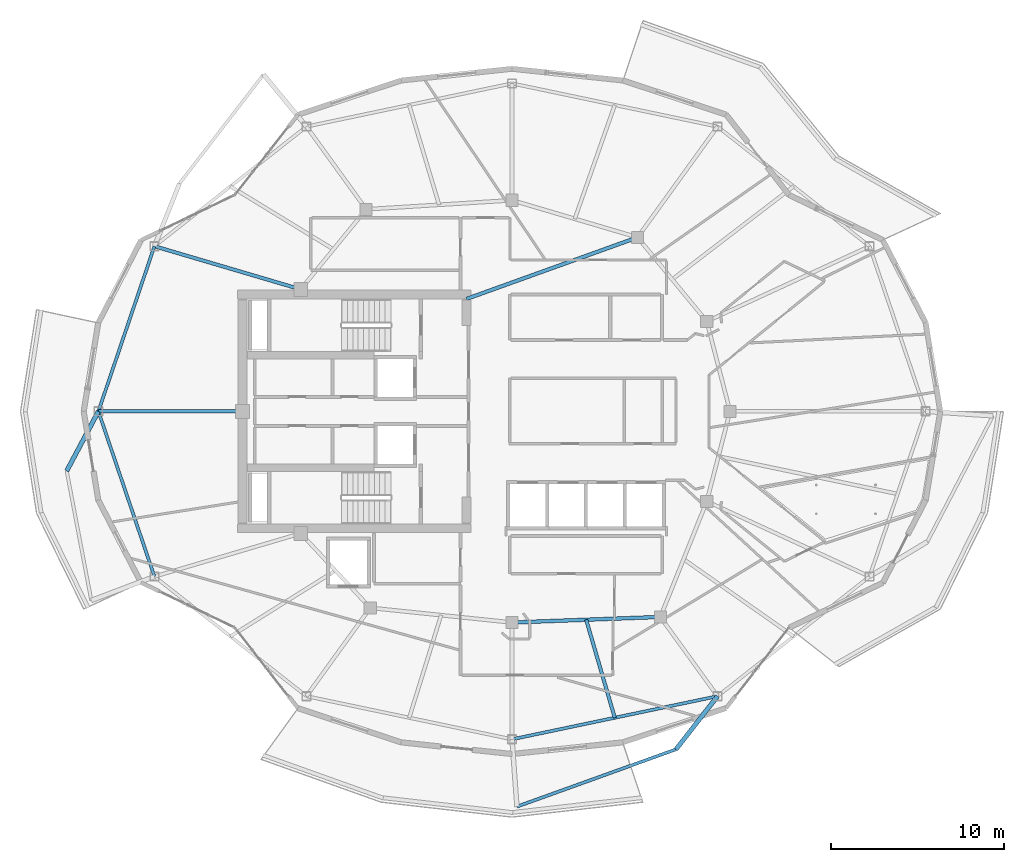
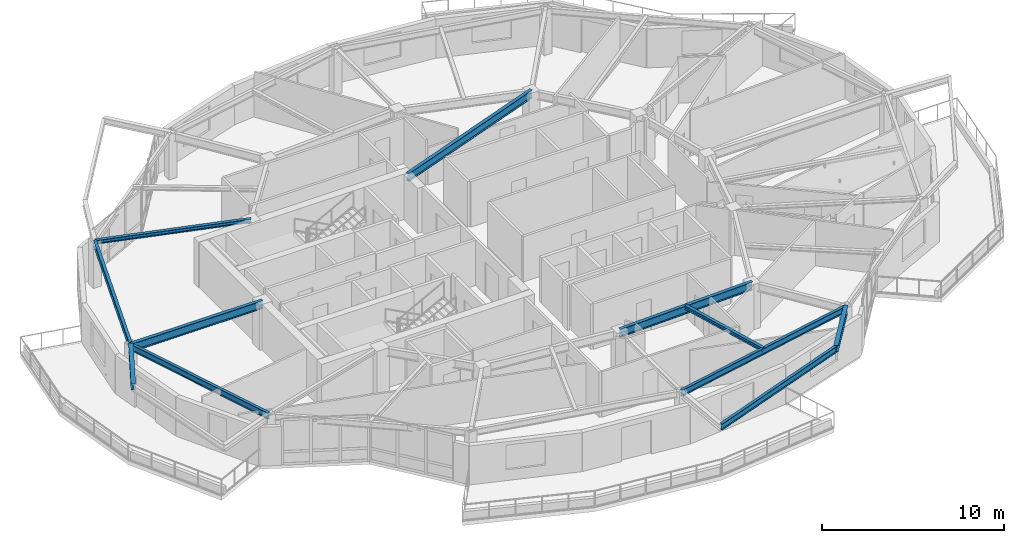
# One storey, part 3 of 16: 11 beams.
"""IFC4 building model written with IfcOpenShell, lengths in metres."""

from ifc_helpers import new_model, si_unit, direction, frame, origin, origin_2d, place, context, subcontext, project, spatial, i_section, extrude, material, material_profile, profile_set, type_object, element, save


model = new_model("IFC4")

# Units and contexts
model_context = context("Model", 3, precision=1e-05, world=origin(), true_north=direction((0.0, 1.0)))
body_context = subcontext(model_context, "Body", "Model", "MODEL_VIEW")
ifc_project = project(units=[si_unit("LENGTHUNIT", "METRE"), si_unit("AREAUNIT", "SQUARE_METRE"), si_unit("VOLUMEUNIT", "CUBIC_METRE"), si_unit("PLANEANGLEUNIT", "RADIAN"), si_unit("MASSUNIT", "GRAM", prefix="KILO")], contexts=[model_context])

# Site, building, storey
site_placement = place(None, origin())
site = spatial("IfcSite", under=ifc_project, at=site_placement, CompositionType="ELEMENT")
building_placement = place(site_placement, origin())
building = spatial("IfcBuilding", under=site, at=building_placement, Name="Kolvaren Gate Tower and Convention Centre", CompositionType="ELEMENT")
storey_placement = place(building_placement, frame((0.0, 0.0, 219.5)))
storey = spatial("IfcBuildingStorey", under=building, at=storey_placement, Name="L58", CompositionType="ELEMENT", Elevation=219.5)

# Beams
ifc_material = material(Name="Structural steel ASTM A992 Grade 345 MPa", Category="steel")
ifc_material_profile_1 = material_profile(ifc_material, i_section(OverallWidth=0.260009765625, OverallDepth=0.419921875, WebThickness=0.013427734375, FlangeThickness=0.0224609375, at=origin_2d()), Name="W410X132")
ifc_profile_set_1 = profile_set([ifc_material_profile_1], Name="Structural steel ASTM A992 Grade 345 MPa")
beam_type_1 = type_object("IfcBeamType", Name="STR-BM-W410X132", PredefinedType="BEAM", material=ifc_profile_set_1)
beam_1_placement = place(storey_placement, frame((6.22509765625, 27.0, 2.820556640625), z_axis=(-0.469557949111, -0.882901655014, 0.0), x_axis=(0.882901655014, -0.469557949111, 0.0)))
element("IfcBeam", 1, at=beam_1_placement, inside=storey, type_object=beam_type_1, Name="Tower L59 Planted Balcony Outrigger Cantilever BC-2A", PredefinedType="BEAM", context=body_context, shape_type="SweptSolid", body=[
    extrude(i_section(OverallWidth=0.260009765625, OverallDepth=0.419921875, WebThickness=0.013427734375, FlangeThickness=0.0224609375, at=origin_2d()), origin(), (0.0, 0.0, 1.0), 3.900146484375),
])
beam_2_placement = place(storey_placement, frame((42.002685546875, 10.5419921875, 2.820556640625), z_axis=(-0.615984127809, -0.787758563449, 0.0), x_axis=(0.787758563449, -0.615984127809, 0.0)))
element("IfcBeam", 2, at=beam_2_placement, inside=storey, type_object=beam_type_1, Name="Tower L59 Planted Balcony Outrigger Cantilever BC-3B", PredefinedType="BEAM", context=body_context, shape_type="SweptSolid", body=[
    extrude(i_section(OverallWidth=0.260009765625, OverallDepth=0.419921875, WebThickness=0.013427734375, FlangeThickness=0.0224609375, at=origin_2d()), origin(), (0.0, 0.0, 1.0), 3.89990234375),
])
ifc_material_profile_2 = material_profile(ifc_material, i_section(OverallWidth=0.2119140625, OverallDepth=0.5439453125, WebThickness=0.01318359375, FlangeThickness=0.021240234375, at=origin_2d()), Name="W530X123")
ifc_profile_set_2 = profile_set([ifc_material_profile_2], Name="Structural steel ASTM A992 Grade 345 MPa")
beam_type_2 = type_object("IfcBeamType", Name="STR-BM-W530X123", PredefinedType="BEAM", material=ifc_profile_set_2)
beam_3_placement = place(storey_placement, frame((30.125, 14.800048828125, 2.758056640625), z_axis=(0.999301712453, 0.037364254142, 0.0), x_axis=(-0.037364254142, 0.999301712453, 0.0)))
element("IfcBeam", 3, at=beam_3_placement, inside=storey, type_object=beam_type_2, Name="Tower L58 Primary Ring Girder G-08", PredefinedType="BEAM", context=body_context, shape_type="SweptSolid", body=[
    extrude(i_section(OverallWidth=0.2119140625, OverallDepth=0.5439453125, WebThickness=0.01318359375, FlangeThickness=0.021240234375, at=origin_2d()), origin(), (0.0, 0.0, 1.0), 8.579345703125),
])
beam_4_placement = place(storey_placement, frame((27.5, 33.5, 2.758056640625), z_axis=(0.940961479908, 0.338513653093, 0.0), x_axis=(-0.338513653093, 0.940961479908, 0.0)))
element("IfcBeam", 4, at=beam_4_placement, inside=storey, type_object=beam_type_2, Name="Tower L58 Primary Ring Girder G-10", PredefinedType="BEAM", context=body_context, shape_type="SweptSolid", body=[
    extrude(i_section(OverallWidth=0.2119140625, OverallDepth=0.5439453125, WebThickness=0.01318359375, FlangeThickness=0.021240234375, at=origin_2d()), origin(), (0.0, 0.0, 1.0), 10.501708984375),
])
beam_5_placement = place(storey_placement, frame((14.550048828125, 27.0, 2.758056640625), z_axis=(-1.0, 0.0, 0.0), x_axis=(0.0, -1.0, 0.0)))
element("IfcBeam", 5, at=beam_5_placement, inside=storey, type_object=beam_type_2, Name="Tower L58 Radial Floor Girder RB-07", PredefinedType="BEAM", context=body_context, shape_type="SweptSolid", body=[
    extrude(i_section(OverallWidth=0.2119140625, OverallDepth=0.5439453125, WebThickness=0.01318359375, FlangeThickness=0.021240234375, at=origin_2d()), origin(), (0.0, 0.0, 1.0), 8.324951171875),
])
ifc_material_profile_3 = material_profile(ifc_material, i_section(OverallWidth=0.202880859375, OverallDepth=0.251953125, WebThickness=0.008056640625, FlangeThickness=0.013427734375, at=origin_2d()), Name="W250X58")
ifc_profile_set_3 = profile_set([ifc_material_profile_3], Name="Structural steel ASTM A992 Grade 345 MPa")
beam_type_3 = type_object("IfcBeamType", Name="STR-JS-W250X58", PredefinedType="JOIST", material=ifc_profile_set_3)
beam_6_placement = place(storey_placement, frame((17.9140625, 34.050048828125, 2.904052734375), z_axis=(-0.959121165581, 0.28299574155, 0.0), x_axis=(-0.28299574155, -0.959121165581, 0.0)))
element("IfcBeam", 6, at=beam_6_placement, inside=storey, type_object=beam_type_3, Name="Tower L58 Radial Floor Girder RB-06", PredefinedType="JOIST", context=body_context, shape_type="SweptSolid", body=[
    extrude(i_section(OverallWidth=0.202880859375, OverallDepth=0.251953125, WebThickness=0.008056640625, FlangeThickness=0.013427734375, at=origin_2d()), origin(), (0.0, 0.0, 1.0), 8.8115234375),
])
beam_7_placement = place(storey_placement, frame((34.41162109375, 14.960205078125, 2.904052734375), z_axis=(0.280001588896, -0.959999536571, 0.0), x_axis=(0.959999536571, 0.280001588896, 0.0)))
element("IfcBeam", 7, at=beam_7_placement, inside=storey, type_object=beam_type_3, Name="Tower L58 Secondary Composite Floor Joist J-10.1", PredefinedType="JOIST", context=body_context, shape_type="SweptSolid", body=[
    extrude(i_section(OverallWidth=0.202880859375, OverallDepth=0.251953125, WebThickness=0.008056640625, FlangeThickness=0.013427734375, at=origin_2d()), origin(), (0.0, 0.0, 1.0), 5.900390625),
])
ifc_material_profile_4 = material_profile(ifc_material, i_section(OverallWidth=0.180908203125, OverallDepth=0.4169921875, WebThickness=0.010986328125, FlangeThickness=0.018310546875, at=origin_2d()), Name="W410X85")
ifc_profile_set_4 = profile_set([ifc_material_profile_4], Name="Structural steel ASTM A992 Grade 345 MPa")
beam_type_4 = type_object("IfcBeamType", Name="STR-SP-W410X85", PredefinedType="SPANDREL", material=ifc_profile_set_4)
for number, where, z_axis, x_axis, name in (
    (8, (9.462646484375, 36.543701171875, 2.821533203125), (-0.321252507379, -0.946993572577, 0.0), (0.946993572577, -0.321252507379, 0.0), "Tower L58 Perimeter Spandrel Beam SP-06"),
    (9, (6.22509765625, 27.0, 2.821533203125), (0.321252507379, -0.946993572577, 0.0), (0.946993572577, 0.321252507379, 0.0), "Tower L58 Perimeter Spandrel Beam SP-07"),
):
    element("IfcBeam", number, at=place(storey_placement, frame(where, z_axis=z_axis, x_axis=x_axis)), inside=storey, type_object=beam_type_4, Name=name, PredefinedType="SPANDREL", context=body_context, shape_type="SweptSolid", body=[
        extrude(i_section(OverallWidth=0.180908203125, OverallDepth=0.4169921875, WebThickness=0.010986328125, FlangeThickness=0.018310546875, at=origin_2d()), origin(), (0.0, 0.0, 1.0), 10.077880859375),
    ])
beam_8_placement = place(storey_placement, frame((30.125, 8.050048828125, 2.821533203125), z_axis=(0.978692765917, 0.205330148645, 0.0), x_axis=(-0.205330148645, 0.978692765917, 0.0)))
element("IfcBeam", 10, at=beam_8_placement, inside=storey, type_object=beam_type_4, Name="Tower L58 Perimeter Spandrel Beam SP-10", PredefinedType="SPANDREL", context=body_context, shape_type="SweptSolid", body=[
    extrude(i_section(OverallWidth=0.180908203125, OverallDepth=0.4169921875, WebThickness=0.010986328125, FlangeThickness=0.018310546875, at=origin_2d()), origin(), (0.0, 0.0, 1.0), 12.13623046875),
])
beam_9_placement = place(storey_placement, frame((30.410400390625, 4.160400390625, 2.822021484375), z_axis=(0.940856500711, 0.338805320311, 0.0), x_axis=(-0.338805320311, 0.940856500711, 0.0)))
element("IfcBeam", 11, at=beam_9_placement, inside=storey, type_object=beam_type_4, Name="Tower L59 Planted Balcony Header Tie Beam BT-3", PredefinedType="SPANDREL", context=body_context, shape_type="SweptSolid", body=[
    extrude(i_section(OverallWidth=0.180908203125, OverallDepth=0.4169921875, WebThickness=0.010986328125, FlangeThickness=0.018310546875, at=origin_2d()), origin(), (0.0, 0.0, 1.0), 9.767578125),
])

save(model, "model.ifc")
